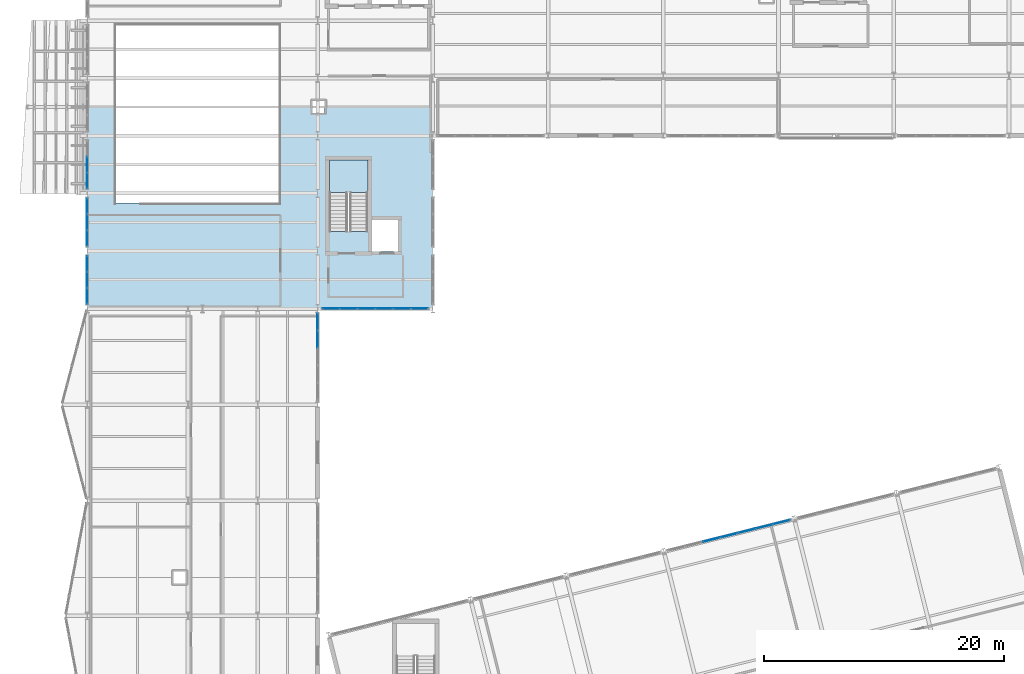
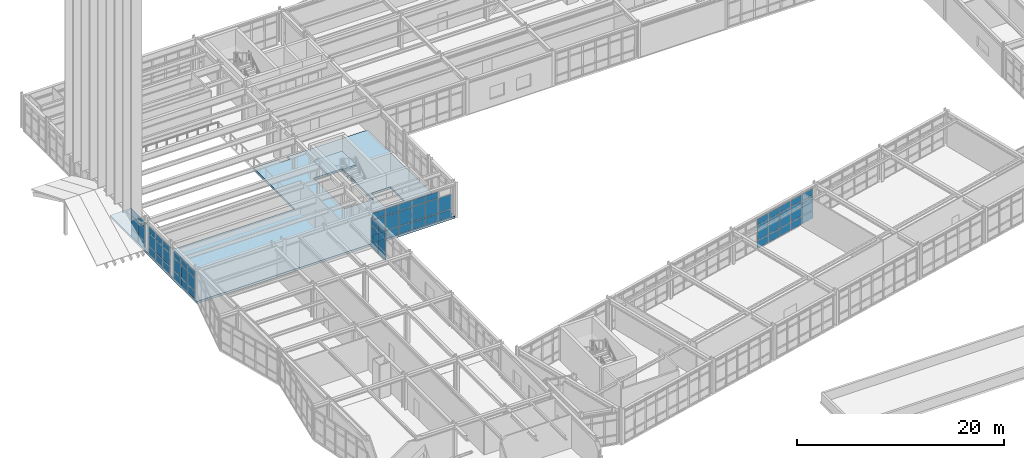
# One storey, part 65 of 99: 62 plates, 2 slabs, 7 elements without a shape of their own.
"""IFC4 building model written with IfcOpenShell, lengths in metres."""

from ifc_helpers import new_model, si_unit, direction, frame, origin, origin_2d, place, context, subcontext, project, spatial, polyline, rectangle, outline, extrude, material, layer, layer_set, type_object, element, aggregate, save


model = new_model("IFC4")

# Units and contexts
model_context = context("Model", 3, precision=1e-05, world=origin(), true_north=direction((0.0, 1.0)))
body_context = subcontext(model_context, "Body", "Model", "MODEL_VIEW")
ifc_project = project(units=[si_unit("LENGTHUNIT", "METRE"), si_unit("AREAUNIT", "SQUARE_METRE"), si_unit("VOLUMEUNIT", "CUBIC_METRE"), si_unit("PLANEANGLEUNIT", "RADIAN"), si_unit("MASSUNIT", "GRAM", prefix="KILO")], contexts=[model_context])

# Site, building, storey
site_placement = place(None, origin())
site = spatial("IfcSite", under=ifc_project, at=site_placement, CompositionType="ELEMENT")
building_placement = place(site_placement, origin())
building = spatial("IfcBuilding", under=site, at=building_placement, Name="Nordkorset Police Headquarters", CompositionType="ELEMENT")
storey_placement = place(building_placement, frame((0.0, 0.0, 5.25)))
storey = spatial("IfcBuildingStorey", under=building, at=storey_placement, Name="L01", CompositionType="ELEMENT", Elevation=5.25)

# Curtain wall, plates
ifc_material_1 = material(Name="Aluminium alloy AW-6060", Category="aluminium")
ifc_layer_1 = layer(ifc_material_1, 0.179931640625, Name="Aluminium alloy AW-6060")
ifc_layer_set_1 = layer_set([ifc_layer_1], Name="Aluminium alloy AW-6060")
curtain_wall_type_1 = type_object("IfcCurtainWallType", Name="CW_Unit_408x340", PredefinedType="USERDEFINED", material=ifc_layer_set_1)
curtain_wall_1_placement = place(storey_placement, origin())
curtain_wall_1 = element("IfcCurtainWall", 1, at=curtain_wall_1_placement, inside=storey, type_object=curtain_wall_type_1, Name="Unitised Curtain Wall L01 V1W-0", ObjectType="UNITISED CURTAIN WALL", PredefinedType="USERDEFINED")
ifc_material_2 = material(Name="Low-iron triple glazing", Category="glass")
ifc_layer_2 = layer(ifc_material_2, 0.035888671875, Name="Low-iron triple glazing")
ifc_layer_set_2 = layer_set([ifc_layer_2], Name="Low-iron triple glazing")
plate_type = type_object("IfcPlateType", Name="CW_Panel_TripleGlazing_36", PredefinedType="CURTAIN_PANEL", material=ifc_layer_set_2)
plate_1_placement = place(storey_placement, frame((0.0, 84.25634765625, 0.06494140625), z_axis=(0.0, 0.0, 1.0), x_axis=(0.0, 1.0, 0.0)))
plate_1 = element("IfcPlate", 2, at=plate_1_placement, type_object=plate_type, Name="CW-75 panel 1.1", PredefinedType="CURTAIN_PANEL", context=body_context, shape_type="SweptSolid", body=[
    extrude(rectangle(XDim=1.262451171875, YDim=0.035888671875, at=origin_2d()), origin(), (0.0, 0.0, 1.0), 0.902587890625),
])
plate_2_placement = place(storey_placement, frame((0.0, 84.25634765625, 1.0322265625), z_axis=(0.0, 0.0, 1.0), x_axis=(0.0, 1.0, 0.0)))
plate_2 = element("IfcPlate", 3, at=plate_2_placement, type_object=plate_type, Name="CW-75 panel 1.2", PredefinedType="CURTAIN_PANEL", context=body_context, shape_type="SweptSolid", body=[
    extrude(rectangle(XDim=1.262451171875, YDim=0.035888671875, at=origin_2d()), origin(), (0.0, 0.0, 1.0), 1.485107421875),
])
plate_3_placement = place(storey_placement, frame((0.0, 84.25634765625, 2.58251953125), z_axis=(0.0, 0.0, 1.0), x_axis=(0.0, 1.0, 0.0)))
plate_3 = element("IfcPlate", 4, at=plate_3_placement, type_object=plate_type, Name="CW-75 panel 1.3", PredefinedType="CURTAIN_PANEL", context=body_context, shape_type="SweptSolid", body=[
    extrude(rectangle(XDim=1.262451171875, YDim=0.035888671875, at=origin_2d()), origin(), (0.0, 0.0, 1.0), 0.75244140625),
])
plate_4_placement = place(storey_placement, frame((0.0, 85.60009765625, 0.06494140625), z_axis=(0.0, 0.0, 1.0), x_axis=(0.0, 1.0, 0.0)))
plate_4 = element("IfcPlate", 5, at=plate_4_placement, type_object=plate_type, Name="CW-75 panel 2.1", PredefinedType="CURTAIN_PANEL", context=body_context, shape_type="SweptSolid", body=[
    extrude(rectangle(XDim=1.294921875, YDim=0.035888671875, at=origin_2d()), origin(), (0.0, 0.0, 1.0), 0.902587890625),
])
plate_5_placement = place(storey_placement, frame((0.0, 85.60009765625, 1.0322265625), z_axis=(0.0, 0.0, 1.0), x_axis=(0.0, 1.0, 0.0)))
plate_5 = element("IfcPlate", 6, at=plate_5_placement, type_object=plate_type, Name="CW-75 panel 2.2", PredefinedType="CURTAIN_PANEL", context=body_context, shape_type="SweptSolid", body=[
    extrude(rectangle(XDim=1.294921875, YDim=0.035888671875, at=origin_2d()), origin(), (0.0, 0.0, 1.0), 1.485107421875),
])
plate_6_placement = place(storey_placement, frame((0.0, 85.60009765625, 2.58251953125), z_axis=(0.0, 0.0, 1.0), x_axis=(0.0, 1.0, 0.0)))
plate_6 = element("IfcPlate", 7, at=plate_6_placement, type_object=plate_type, Name="CW-75 panel 2.3", PredefinedType="CURTAIN_PANEL", context=body_context, shape_type="SweptSolid", body=[
    extrude(rectangle(XDim=1.294921875, YDim=0.035888671875, at=origin_2d()), origin(), (0.0, 0.0, 1.0), 0.75244140625),
])
plate_7_placement = place(storey_placement, frame((0.0, 86.94384765625, 0.06494140625), z_axis=(0.0, 0.0, 1.0), x_axis=(0.0, 1.0, 0.0)))
plate_7 = element("IfcPlate", 8, at=plate_7_placement, type_object=plate_type, Name="CW-75 panel 3.1", PredefinedType="CURTAIN_PANEL", context=body_context, shape_type="SweptSolid", body=[
    extrude(rectangle(XDim=1.262451171875, YDim=0.035888671875, at=origin_2d()), origin(), (0.0, 0.0, 1.0), 0.902587890625),
])
plate_8_placement = place(storey_placement, frame((0.0, 86.94384765625, 1.0322265625), z_axis=(0.0, 0.0, 1.0), x_axis=(0.0, 1.0, 0.0)))
plate_8 = element("IfcPlate", 9, at=plate_8_placement, type_object=plate_type, Name="CW-75 panel 3.2", PredefinedType="CURTAIN_PANEL", context=body_context, shape_type="SweptSolid", body=[
    extrude(rectangle(XDim=1.262451171875, YDim=0.035888671875, at=origin_2d()), origin(), (0.0, 0.0, 1.0), 1.485107421875),
])
plate_9_placement = place(storey_placement, frame((0.0, 86.94384765625, 2.58251953125), z_axis=(0.0, 0.0, 1.0), x_axis=(0.0, 1.0, 0.0)))
plate_9 = element("IfcPlate", 10, at=plate_9_placement, type_object=plate_type, Name="CW-75 panel 3.3", PredefinedType="CURTAIN_PANEL", context=body_context, shape_type="SweptSolid", body=[
    extrude(rectangle(XDim=1.262451171875, YDim=0.035888671875, at=origin_2d()), origin(), (0.0, 0.0, 1.0), 0.75244140625),
])
aggregate(curtain_wall_1, [plate_1, plate_2, plate_3, plate_4, plate_5, plate_6, plate_7, plate_8, plate_9])

curtain_wall_2_placement = place(storey_placement, origin())
curtain_wall_2 = element("IfcCurtainWall", 11, at=curtain_wall_2_placement, inside=storey, type_object=curtain_wall_type_1, Name="Unitised Curtain Wall L01 V1W-1", ObjectType="UNITISED CURTAIN WALL", PredefinedType="USERDEFINED")
plate_10_placement = place(storey_placement, frame((0.0, 89.05615234375, 0.06494140625), z_axis=(0.0, 0.0, 1.0), x_axis=(0.0, 1.0, 0.0)))
plate_10 = element("IfcPlate", 12, at=plate_10_placement, type_object=plate_type, Name="CW-75 panel 1.1", PredefinedType="CURTAIN_PANEL", context=body_context, shape_type="SweptSolid", body=[
    extrude(rectangle(XDim=1.262451171875, YDim=0.035888671875, at=origin_2d()), origin(), (0.0, 0.0, 1.0), 0.902587890625),
])
plate_11_placement = place(storey_placement, frame((0.0, 89.05615234375, 1.0322265625), z_axis=(0.0, 0.0, 1.0), x_axis=(0.0, 1.0, 0.0)))
plate_11 = element("IfcPlate", 13, at=plate_11_placement, type_object=plate_type, Name="CW-75 panel 1.2", PredefinedType="CURTAIN_PANEL", context=body_context, shape_type="SweptSolid", body=[
    extrude(rectangle(XDim=1.262451171875, YDim=0.035888671875, at=origin_2d()), origin(), (0.0, 0.0, 1.0), 1.485107421875),
])
plate_12_placement = place(storey_placement, frame((0.0, 89.05615234375, 2.58251953125), z_axis=(0.0, 0.0, 1.0), x_axis=(0.0, 1.0, 0.0)))
plate_12 = element("IfcPlate", 14, at=plate_12_placement, type_object=plate_type, Name="CW-75 panel 1.3", PredefinedType="CURTAIN_PANEL", context=body_context, shape_type="SweptSolid", body=[
    extrude(rectangle(XDim=1.262451171875, YDim=0.035888671875, at=origin_2d()), origin(), (0.0, 0.0, 1.0), 0.75244140625),
])
plate_13_placement = place(storey_placement, frame((0.0, 90.39990234375, 0.06494140625), z_axis=(0.0, 0.0, 1.0), x_axis=(0.0, 1.0, 0.0)))
plate_13 = element("IfcPlate", 15, at=plate_13_placement, type_object=plate_type, Name="CW-75 panel 2.1", PredefinedType="CURTAIN_PANEL", context=body_context, shape_type="SweptSolid", body=[
    extrude(rectangle(XDim=1.294921875, YDim=0.035888671875, at=origin_2d()), origin(), (0.0, 0.0, 1.0), 0.902587890625),
])
plate_14_placement = place(storey_placement, frame((0.0, 90.39990234375, 1.0322265625), z_axis=(0.0, 0.0, 1.0), x_axis=(0.0, 1.0, 0.0)))
plate_14 = element("IfcPlate", 16, at=plate_14_placement, type_object=plate_type, Name="CW-75 panel 2.2", PredefinedType="CURTAIN_PANEL", context=body_context, shape_type="SweptSolid", body=[
    extrude(rectangle(XDim=1.294921875, YDim=0.035888671875, at=origin_2d()), origin(), (0.0, 0.0, 1.0), 1.485107421875),
])
plate_15_placement = place(storey_placement, frame((0.0, 90.39990234375, 2.58251953125), z_axis=(0.0, 0.0, 1.0), x_axis=(0.0, 1.0, 0.0)))
plate_15 = element("IfcPlate", 17, at=plate_15_placement, type_object=plate_type, Name="CW-75 panel 2.3", PredefinedType="CURTAIN_PANEL", context=body_context, shape_type="SweptSolid", body=[
    extrude(rectangle(XDim=1.294921875, YDim=0.035888671875, at=origin_2d()), origin(), (0.0, 0.0, 1.0), 0.75244140625),
])
plate_16_placement = place(storey_placement, frame((0.0, 91.74365234375, 0.06494140625), z_axis=(0.0, 0.0, 1.0), x_axis=(0.0, 1.0, 0.0)))
plate_16 = element("IfcPlate", 18, at=plate_16_placement, type_object=plate_type, Name="CW-75 panel 3.1", PredefinedType="CURTAIN_PANEL", context=body_context, shape_type="SweptSolid", body=[
    extrude(rectangle(XDim=1.262451171875, YDim=0.035888671875, at=origin_2d()), origin(), (0.0, 0.0, 1.0), 0.902587890625),
])
plate_17_placement = place(storey_placement, frame((0.0, 91.74365234375, 1.0322265625), z_axis=(0.0, 0.0, 1.0), x_axis=(0.0, 1.0, 0.0)))
plate_17 = element("IfcPlate", 19, at=plate_17_placement, type_object=plate_type, Name="CW-75 panel 3.2", PredefinedType="CURTAIN_PANEL", context=body_context, shape_type="SweptSolid", body=[
    extrude(rectangle(XDim=1.262451171875, YDim=0.035888671875, at=origin_2d()), origin(), (0.0, 0.0, 1.0), 1.485107421875),
])
plate_18_placement = place(storey_placement, frame((0.0, 91.74365234375, 2.58251953125), z_axis=(0.0, 0.0, 1.0), x_axis=(0.0, 1.0, 0.0)))
plate_18 = element("IfcPlate", 20, at=plate_18_placement, type_object=plate_type, Name="CW-75 panel 3.3", PredefinedType="CURTAIN_PANEL", context=body_context, shape_type="SweptSolid", body=[
    extrude(rectangle(XDim=1.262451171875, YDim=0.035888671875, at=origin_2d()), origin(), (0.0, 0.0, 1.0), 0.75244140625),
])
aggregate(curtain_wall_2, [plate_10, plate_11, plate_12, plate_13, plate_14, plate_15, plate_16, plate_17, plate_18])

curtain_wall_3_placement = place(storey_placement, origin())
curtain_wall_3 = element("IfcCurtainWall", 21, at=curtain_wall_3_placement, inside=storey, type_object=curtain_wall_type_1, Name="Unitised Curtain Wall L01 V1W-2", ObjectType="UNITISED CURTAIN WALL", PredefinedType="USERDEFINED")
plate_19_placement = place(storey_placement, frame((0.0, 93.856201171875, 0.06494140625), z_axis=(0.0, 0.0, 1.0), x_axis=(0.0, 1.0, 0.0)))
plate_19 = element("IfcPlate", 22, at=plate_19_placement, type_object=plate_type, Name="CW-75 panel 1.1", PredefinedType="CURTAIN_PANEL", context=body_context, shape_type="SweptSolid", body=[
    extrude(rectangle(XDim=1.262451171875, YDim=0.035888671875, at=origin_2d()), origin(), (0.0, 0.0, 1.0), 0.902587890625),
])
plate_20_placement = place(storey_placement, frame((0.0, 93.856201171875, 1.0322265625), z_axis=(0.0, 0.0, 1.0), x_axis=(0.0, 1.0, 0.0)))
plate_20 = element("IfcPlate", 23, at=plate_20_placement, type_object=plate_type, Name="CW-75 panel 1.2", PredefinedType="CURTAIN_PANEL", context=body_context, shape_type="SweptSolid", body=[
    extrude(rectangle(XDim=1.262451171875, YDim=0.035888671875, at=origin_2d()), origin(), (0.0, 0.0, 1.0), 1.485107421875),
])
plate_21_placement = place(storey_placement, frame((0.0, 93.856201171875, 2.58251953125), z_axis=(0.0, 0.0, 1.0), x_axis=(0.0, 1.0, 0.0)))
plate_21 = element("IfcPlate", 24, at=plate_21_placement, type_object=plate_type, Name="CW-75 panel 1.3", PredefinedType="CURTAIN_PANEL", context=body_context, shape_type="SweptSolid", body=[
    extrude(rectangle(XDim=1.262451171875, YDim=0.035888671875, at=origin_2d()), origin(), (0.0, 0.0, 1.0), 0.75244140625),
])
plate_22_placement = place(storey_placement, frame((0.0, 95.199951171875, 0.06494140625), z_axis=(0.0, 0.0, 1.0), x_axis=(0.0, 1.0, 0.0)))
plate_22 = element("IfcPlate", 25, at=plate_22_placement, type_object=plate_type, Name="CW-75 panel 2.1", PredefinedType="CURTAIN_PANEL", context=body_context, shape_type="SweptSolid", body=[
    extrude(rectangle(XDim=1.294921875, YDim=0.035888671875, at=origin_2d()), origin(), (0.0, 0.0, 1.0), 0.902587890625),
])
plate_23_placement = place(storey_placement, frame((0.0, 95.199951171875, 1.0322265625), z_axis=(0.0, 0.0, 1.0), x_axis=(0.0, 1.0, 0.0)))
plate_23 = element("IfcPlate", 26, at=plate_23_placement, type_object=plate_type, Name="CW-75 panel 2.2", PredefinedType="CURTAIN_PANEL", context=body_context, shape_type="SweptSolid", body=[
    extrude(rectangle(XDim=1.294921875, YDim=0.035888671875, at=origin_2d()), origin(), (0.0, 0.0, 1.0), 1.485107421875),
])
plate_24_placement = place(storey_placement, frame((0.0, 95.199951171875, 2.58251953125), z_axis=(0.0, 0.0, 1.0), x_axis=(0.0, 1.0, 0.0)))
plate_24 = element("IfcPlate", 27, at=plate_24_placement, type_object=plate_type, Name="CW-75 panel 2.3", PredefinedType="CURTAIN_PANEL", context=body_context, shape_type="SweptSolid", body=[
    extrude(rectangle(XDim=1.294921875, YDim=0.035888671875, at=origin_2d()), origin(), (0.0, 0.0, 1.0), 0.75244140625),
])
aggregate(curtain_wall_3, [plate_19, plate_20, plate_21, plate_22, plate_23, plate_24])

ifc_material_3 = material(Name="Aluminium alloy AW-6060", Category="aluminium")
ifc_layer_3 = layer(ifc_material_3, 0.179931640625, Name="Aluminium alloy AW-6060")
ifc_layer_set_3 = layer_set([ifc_layer_3], Name="Aluminium alloy AW-6060")
curtain_wall_type_2 = type_object("IfcCurtainWallType", Name="CW_Unit_888x363", PredefinedType="USERDEFINED", material=ifc_layer_set_3)
curtain_wall_4_placement = place(storey_placement, origin())
curtain_wall_4 = element("IfcCurtainWall", 28, at=curtain_wall_4_placement, inside=storey, type_object=curtain_wall_type_2, Name="Unitised Curtain Wall L01 V1S-2", ObjectType="UNITISED CURTAIN WALL", PredefinedType="USERDEFINED")
plate_25_placement = place(storey_placement, frame((20.316162109375, 83.199951171875, 0.06494140625), z_axis=(0.0, 0.0, 1.0), x_axis=(1.0, 0.0, 0.0)))
plate_25 = element("IfcPlate", 29, at=plate_25_placement, type_object=plate_type, Name="CW-07 panel 1.1", PredefinedType="CURTAIN_PANEL", context=body_context, shape_type="SweptSolid", body=[
    extrude(rectangle(XDim=1.382568359375, YDim=0.035888671875, at=origin_2d()), origin(), (0.0, 0.0, 1.0), 0.902587890625),
])
plate_26_placement = place(storey_placement, frame((20.316162109375, 83.199951171875, 1.0322265625), z_axis=(0.0, 0.0, 1.0), x_axis=(1.0, 0.0, 0.0)))
plate_26 = element("IfcPlate", 30, at=plate_26_placement, type_object=plate_type, Name="CW-07 panel 1.2", PredefinedType="CURTAIN_PANEL", context=body_context, shape_type="SweptSolid", body=[
    extrude(rectangle(XDim=1.382568359375, YDim=0.035888671875, at=origin_2d()), origin(), (0.0, 0.0, 1.0), 1.715087890625),
])
plate_27_placement = place(storey_placement, frame((20.316162109375, 83.199951171875, 2.8125), z_axis=(0.0, 0.0, 1.0), x_axis=(1.0, 0.0, 0.0)))
plate_27 = element("IfcPlate", 31, at=plate_27_placement, type_object=plate_type, Name="CW-07 panel 1.3", PredefinedType="CURTAIN_PANEL", context=body_context, shape_type="SweptSolid", body=[
    extrude(rectangle(XDim=1.382568359375, YDim=0.035888671875, at=origin_2d()), origin(), (0.0, 0.0, 1.0), 0.75244140625),
])
plate_28_placement = place(storey_placement, frame((21.780029296875, 83.199951171875, 0.06494140625), z_axis=(0.0, 0.0, 1.0), x_axis=(1.0, 0.0, 0.0)))
plate_28 = element("IfcPlate", 32, at=plate_28_placement, type_object=plate_type, Name="CW-07 panel 2.1", PredefinedType="CURTAIN_PANEL", context=body_context, shape_type="SweptSolid", body=[
    extrude(rectangle(XDim=1.4150390625, YDim=0.035888671875, at=origin_2d()), origin(), (0.0, 0.0, 1.0), 0.902587890625),
])
plate_29_placement = place(storey_placement, frame((21.780029296875, 83.199951171875, 1.0322265625), z_axis=(0.0, 0.0, 1.0), x_axis=(1.0, 0.0, 0.0)))
plate_29 = element("IfcPlate", 33, at=plate_29_placement, type_object=plate_type, Name="CW-07 panel 2.2", PredefinedType="CURTAIN_PANEL", context=body_context, shape_type="SweptSolid", body=[
    extrude(rectangle(XDim=1.4150390625, YDim=0.035888671875, at=origin_2d()), origin(), (0.0, 0.0, 1.0), 1.715087890625),
])
plate_30_placement = place(storey_placement, frame((21.780029296875, 83.199951171875, 2.8125), z_axis=(0.0, 0.0, 1.0), x_axis=(1.0, 0.0, 0.0)))
plate_30 = element("IfcPlate", 34, at=plate_30_placement, type_object=plate_type, Name="CW-07 panel 2.3", PredefinedType="CURTAIN_PANEL", context=body_context, shape_type="SweptSolid", body=[
    extrude(rectangle(XDim=1.4150390625, YDim=0.035888671875, at=origin_2d()), origin(), (0.0, 0.0, 1.0), 0.75244140625),
])
plate_31_placement = place(storey_placement, frame((23.260009765625, 83.199951171875, 0.06494140625), z_axis=(0.0, 0.0, 1.0), x_axis=(1.0, 0.0, 0.0)))
plate_31 = element("IfcPlate", 35, at=plate_31_placement, type_object=plate_type, Name="CW-07 panel 3.1", PredefinedType="CURTAIN_PANEL", context=body_context, shape_type="SweptSolid", body=[
    extrude(rectangle(XDim=1.4150390625, YDim=0.035888671875, at=origin_2d()), origin(), (0.0, 0.0, 1.0), 0.902587890625),
])
plate_32_placement = place(storey_placement, frame((23.260009765625, 83.199951171875, 1.0322265625), z_axis=(0.0, 0.0, 1.0), x_axis=(1.0, 0.0, 0.0)))
plate_32 = element("IfcPlate", 36, at=plate_32_placement, type_object=plate_type, Name="CW-07 panel 3.2", PredefinedType="CURTAIN_PANEL", context=body_context, shape_type="SweptSolid", body=[
    extrude(rectangle(XDim=1.4150390625, YDim=0.035888671875, at=origin_2d()), origin(), (0.0, 0.0, 1.0), 1.715087890625),
])
plate_33_placement = place(storey_placement, frame((23.260009765625, 83.199951171875, 2.8125), z_axis=(0.0, 0.0, 1.0), x_axis=(1.0, 0.0, 0.0)))
plate_33 = element("IfcPlate", 37, at=plate_33_placement, type_object=plate_type, Name="CW-07 panel 3.3", PredefinedType="CURTAIN_PANEL", context=body_context, shape_type="SweptSolid", body=[
    extrude(rectangle(XDim=1.4150390625, YDim=0.035888671875, at=origin_2d()), origin(), (0.0, 0.0, 1.0), 0.75244140625),
])
plate_34_placement = place(storey_placement, frame((24.739990234375, 83.199951171875, 0.06494140625), z_axis=(0.0, 0.0, 1.0), x_axis=(1.0, 0.0, 0.0)))
plate_34 = element("IfcPlate", 38, at=plate_34_placement, type_object=plate_type, Name="CW-07 panel 4.1", PredefinedType="CURTAIN_PANEL", context=body_context, shape_type="SweptSolid", body=[
    extrude(rectangle(XDim=1.4150390625, YDim=0.035888671875, at=origin_2d()), origin(), (0.0, 0.0, 1.0), 0.902587890625),
])
plate_35_placement = place(storey_placement, frame((24.739990234375, 83.199951171875, 1.0322265625), z_axis=(0.0, 0.0, 1.0), x_axis=(1.0, 0.0, 0.0)))
plate_35 = element("IfcPlate", 39, at=plate_35_placement, type_object=plate_type, Name="CW-07 panel 4.2", PredefinedType="CURTAIN_PANEL", context=body_context, shape_type="SweptSolid", body=[
    extrude(rectangle(XDim=1.4150390625, YDim=0.035888671875, at=origin_2d()), origin(), (0.0, 0.0, 1.0), 1.715087890625),
])
plate_36_placement = place(storey_placement, frame((24.739990234375, 83.199951171875, 2.8125), z_axis=(0.0, 0.0, 1.0), x_axis=(1.0, 0.0, 0.0)))
plate_36 = element("IfcPlate", 40, at=plate_36_placement, type_object=plate_type, Name="CW-07 panel 4.3", PredefinedType="CURTAIN_PANEL", context=body_context, shape_type="SweptSolid", body=[
    extrude(rectangle(XDim=1.4150390625, YDim=0.035888671875, at=origin_2d()), origin(), (0.0, 0.0, 1.0), 0.75244140625),
])
plate_37_placement = place(storey_placement, frame((26.219970703125, 83.199951171875, 0.06494140625), z_axis=(0.0, 0.0, 1.0), x_axis=(1.0, 0.0, 0.0)))
plate_37 = element("IfcPlate", 41, at=plate_37_placement, type_object=plate_type, Name="CW-07 panel 5.1", PredefinedType="CURTAIN_PANEL", context=body_context, shape_type="SweptSolid", body=[
    extrude(rectangle(XDim=1.4150390625, YDim=0.035888671875, at=origin_2d()), origin(), (0.0, 0.0, 1.0), 0.902587890625),
])
plate_38_placement = place(storey_placement, frame((26.219970703125, 83.199951171875, 1.0322265625), z_axis=(0.0, 0.0, 1.0), x_axis=(1.0, 0.0, 0.0)))
plate_38 = element("IfcPlate", 42, at=plate_38_placement, type_object=plate_type, Name="CW-07 panel 5.2", PredefinedType="CURTAIN_PANEL", context=body_context, shape_type="SweptSolid", body=[
    extrude(rectangle(XDim=1.4150390625, YDim=0.035888671875, at=origin_2d()), origin(), (0.0, 0.0, 1.0), 1.715087890625),
])
plate_39_placement = place(storey_placement, frame((26.219970703125, 83.199951171875, 2.8125), z_axis=(0.0, 0.0, 1.0), x_axis=(1.0, 0.0, 0.0)))
plate_39 = element("IfcPlate", 43, at=plate_39_placement, type_object=plate_type, Name="CW-07 panel 5.3", PredefinedType="CURTAIN_PANEL", context=body_context, shape_type="SweptSolid", body=[
    extrude(rectangle(XDim=1.4150390625, YDim=0.035888671875, at=origin_2d()), origin(), (0.0, 0.0, 1.0), 0.75244140625),
])
plate_40_placement = place(storey_placement, frame((27.683837890625, 83.199951171875, 0.06494140625), z_axis=(0.0, 0.0, 1.0), x_axis=(1.0, 0.0, 0.0)))
plate_40 = element("IfcPlate", 44, at=plate_40_placement, type_object=plate_type, Name="CW-07 panel 6.1", PredefinedType="CURTAIN_PANEL", context=body_context, shape_type="SweptSolid", body=[
    extrude(rectangle(XDim=1.382568359375, YDim=0.035888671875, at=origin_2d()), origin(), (0.0, 0.0, 1.0), 0.902587890625),
])
plate_41_placement = place(storey_placement, frame((27.683837890625, 83.199951171875, 1.0322265625), z_axis=(0.0, 0.0, 1.0), x_axis=(1.0, 0.0, 0.0)))
plate_41 = element("IfcPlate", 45, at=plate_41_placement, type_object=plate_type, Name="CW-07 panel 6.2", PredefinedType="CURTAIN_PANEL", context=body_context, shape_type="SweptSolid", body=[
    extrude(rectangle(XDim=1.382568359375, YDim=0.035888671875, at=origin_2d()), origin(), (0.0, 0.0, 1.0), 1.715087890625),
])
aggregate(curtain_wall_4, [plate_25, plate_26, plate_27, plate_28, plate_29, plate_30, plate_31, plate_32, plate_33, plate_34, plate_35, plate_36, plate_37, plate_38, plate_39, plate_40, plate_41])

ifc_material_4 = material(Name="Aluminium alloy AW-6060", Category="aluminium")
ifc_layer_4 = layer(ifc_material_4, 0.179931640625, Name="Aluminium alloy AW-6060")
ifc_layer_set_4 = layer_set([ifc_layer_4], Name="Aluminium alloy AW-6060")
curtain_wall_type_3 = type_object("IfcCurtainWallType", Name="CW_Unit_728x350", PredefinedType="USERDEFINED", material=ifc_layer_set_4)
curtain_wall_5_placement = place(storey_placement, origin())
curtain_wall_5 = element("IfcCurtainWall", 46, at=curtain_wall_5_placement, inside=storey, type_object=curtain_wall_type_3, Name="Unitised Curtain Wall L01 V3E-5", ObjectType="UNITISED CURTAIN WALL", PredefinedType="USERDEFINED")
plate_42_placement = place(storey_placement, frame((19.199951171875, 80.656005859375, 0.06494140625), z_axis=(0.0, 0.0, 1.0), x_axis=(0.0, 1.0, 0.0)))
plate_42 = element("IfcPlate", 47, at=plate_42_placement, type_object=plate_type, Name="CW-70 panel 4.1", PredefinedType="CURTAIN_PANEL", context=body_context, shape_type="SweptSolid", body=[
    extrude(rectangle(XDim=1.39111328125, YDim=0.035888671875, at=origin_2d()), origin(), (0.0, 0.0, 1.0), 0.902587890625),
])
plate_43_placement = place(storey_placement, frame((19.199951171875, 80.656005859375, 1.032470703125), z_axis=(0.0, 0.0, 1.0), x_axis=(0.0, 1.0, 0.0)))
plate_43 = element("IfcPlate", 48, at=plate_43_placement, type_object=plate_type, Name="CW-70 panel 4.2", PredefinedType="CURTAIN_PANEL", context=body_context, shape_type="SweptSolid", body=[
    extrude(rectangle(XDim=1.39111328125, YDim=0.035888671875, at=origin_2d()), origin(), (0.0, 0.0, 1.0), 1.5849609375),
])
plate_44_placement = place(storey_placement, frame((19.199951171875, 80.656005859375, 2.6826171875), z_axis=(0.0, 0.0, 1.0), x_axis=(0.0, 1.0, 0.0)))
plate_44 = element("IfcPlate", 49, at=plate_44_placement, type_object=plate_type, Name="CW-70 panel 4.3", PredefinedType="CURTAIN_PANEL", context=body_context, shape_type="SweptSolid", body=[
    extrude(rectangle(XDim=1.39111328125, YDim=0.035888671875, at=origin_2d()), origin(), (0.0, 0.0, 1.0), 0.75244140625),
])
plate_45_placement = place(storey_placement, frame((19.199951171875, 82.095703125, 0.06494140625), z_axis=(0.0, 0.0, 1.0), x_axis=(0.0, 1.0, 0.0)))
plate_45 = element("IfcPlate", 50, at=plate_45_placement, type_object=plate_type, Name="CW-70 panel 5.1", PredefinedType="CURTAIN_PANEL", context=body_context, shape_type="SweptSolid", body=[
    extrude(rectangle(XDim=1.3583984375, YDim=0.035888671875, at=origin_2d()), origin(), (0.0, 0.0, 1.0), 0.902587890625),
])
plate_46_placement = place(storey_placement, frame((19.199951171875, 82.095703125, 1.032470703125), z_axis=(0.0, 0.0, 1.0), x_axis=(0.0, 1.0, 0.0)))
plate_46 = element("IfcPlate", 51, at=plate_46_placement, type_object=plate_type, Name="CW-70 panel 5.2", PredefinedType="CURTAIN_PANEL", context=body_context, shape_type="SweptSolid", body=[
    extrude(rectangle(XDim=1.3583984375, YDim=0.035888671875, at=origin_2d()), origin(), (0.0, 0.0, 1.0), 1.5849609375),
])
plate_47_placement = place(storey_placement, frame((19.199951171875, 82.095703125, 2.6826171875), z_axis=(0.0, 0.0, 1.0), x_axis=(0.0, 1.0, 0.0)))
plate_47 = element("IfcPlate", 52, at=plate_47_placement, type_object=plate_type, Name="CW-70 panel 5.3", PredefinedType="CURTAIN_PANEL", context=body_context, shape_type="SweptSolid", body=[
    extrude(rectangle(XDim=1.3583984375, YDim=0.035888671875, at=origin_2d()), origin(), (0.0, 0.0, 1.0), 0.75244140625),
])
aggregate(curtain_wall_5, [plate_42, plate_43, plate_44, plate_45, plate_46, plate_47])

ifc_material_5 = material(Name="Aluminium alloy AW-6060", Category="aluminium")
ifc_layer_5 = layer(ifc_material_5, 0.179931640625, Name="Aluminium alloy AW-6060")
ifc_layer_set_5 = layer_set([ifc_layer_5], Name="Aluminium alloy AW-6060")
curtain_wall_type_4 = type_object("IfcCurtainWallType", Name="CW_Unit_1056x363", PredefinedType="USERDEFINED", material=ifc_layer_set_5)
curtain_wall_6_placement = place(storey_placement, origin())
curtain_wall_6 = element("IfcCurtainWall", 53, at=curtain_wall_6_placement, inside=storey, type_object=curtain_wall_type_4, Name="Unitised Curtain Wall L01 V4N-3", ObjectType="UNITISED CURTAIN WALL", PredefinedType="USERDEFINED")
plate_48_placement = place(storey_placement, frame((52.016845703125, 63.947509765625, 0.06494140625), z_axis=(0.0, 0.0, 1.0), x_axis=(0.970142388735, 0.242536070676, 0.0)))
plate_48 = element("IfcPlate", 54, at=plate_48_placement, type_object=plate_type, Name="CW-96 panel 3.1", PredefinedType="CURTAIN_PANEL", context=body_context, shape_type="SweptSolid", body=[
    extrude(rectangle(XDim=1.443603515625, YDim=0.035888671875, at=origin_2d()), origin(), (0.0, 0.0, 1.0), 0.902587890625),
])
plate_49_placement = place(storey_placement, frame((52.016845703125, 63.947509765625, 1.0322265625), z_axis=(0.0, 0.0, 1.0), x_axis=(0.970142388735, 0.242536070676, 0.0)))
plate_49 = element("IfcPlate", 55, at=plate_49_placement, type_object=plate_type, Name="CW-96 panel 3.2", PredefinedType="CURTAIN_PANEL", context=body_context, shape_type="SweptSolid", body=[
    extrude(rectangle(XDim=1.443603515625, YDim=0.035888671875, at=origin_2d()), origin(), (0.0, 0.0, 1.0), 1.715087890625),
])
plate_50_placement = place(storey_placement, frame((52.016845703125, 63.947509765625, 2.8125), z_axis=(0.0, 0.0, 1.0), x_axis=(0.970142388735, 0.242536070676, 0.0)))
plate_50 = element("IfcPlate", 56, at=plate_50_placement, type_object=plate_type, Name="CW-96 panel 3.3", PredefinedType="CURTAIN_PANEL", context=body_context, shape_type="SweptSolid", body=[
    extrude(rectangle(XDim=1.443603515625, YDim=0.035888671875, at=origin_2d()), origin(), (0.0, 0.0, 1.0), 0.75244140625),
])
plate_51_placement = place(storey_placement, frame((53.48046875, 64.313232421875, 0.06494140625), z_axis=(0.0, 0.0, 1.0), x_axis=(0.970142388735, 0.242536070676, 0.0)))
plate_51 = element("IfcPlate", 57, at=plate_51_placement, type_object=plate_type, Name="CW-96 panel 4.1", PredefinedType="CURTAIN_PANEL", context=body_context, shape_type="SweptSolid", body=[
    extrude(rectangle(XDim=1.443603515625, YDim=0.035888671875, at=origin_2d()), origin(), (0.0, 0.0, 1.0), 0.902587890625),
])
plate_52_placement = place(storey_placement, frame((53.48046875, 64.313232421875, 1.0322265625), z_axis=(0.0, 0.0, 1.0), x_axis=(0.970142388735, 0.242536070676, 0.0)))
plate_52 = element("IfcPlate", 58, at=plate_52_placement, type_object=plate_type, Name="CW-96 panel 4.2", PredefinedType="CURTAIN_PANEL", context=body_context, shape_type="SweptSolid", body=[
    extrude(rectangle(XDim=1.443603515625, YDim=0.035888671875, at=origin_2d()), origin(), (0.0, 0.0, 1.0), 1.715087890625),
])
plate_53_placement = place(storey_placement, frame((53.48046875, 64.313232421875, 2.8125), z_axis=(0.0, 0.0, 1.0), x_axis=(0.970142388735, 0.242536070676, 0.0)))
plate_53 = element("IfcPlate", 59, at=plate_53_placement, type_object=plate_type, Name="CW-96 panel 4.3", PredefinedType="CURTAIN_PANEL", context=body_context, shape_type="SweptSolid", body=[
    extrude(rectangle(XDim=1.443603515625, YDim=0.035888671875, at=origin_2d()), origin(), (0.0, 0.0, 1.0), 0.75244140625),
])
plate_54_placement = place(storey_placement, frame((54.94384765625, 64.67919921875, 0.06494140625), z_axis=(0.0, 0.0, 1.0), x_axis=(0.970142388735, 0.242536070676, 0.0)))
plate_54 = element("IfcPlate", 60, at=plate_54_placement, type_object=plate_type, Name="CW-96 panel 5.1", PredefinedType="CURTAIN_PANEL", context=body_context, shape_type="SweptSolid", body=[
    extrude(rectangle(XDim=1.443603515625, YDim=0.035888671875, at=origin_2d()), origin(), (0.0, 0.0, 1.0), 0.902587890625),
])
plate_55_placement = place(storey_placement, frame((54.94384765625, 64.67919921875, 1.0322265625), z_axis=(0.0, 0.0, 1.0), x_axis=(0.970142388735, 0.242536070676, 0.0)))
plate_55 = element("IfcPlate", 61, at=plate_55_placement, type_object=plate_type, Name="CW-96 panel 5.2", PredefinedType="CURTAIN_PANEL", context=body_context, shape_type="SweptSolid", body=[
    extrude(rectangle(XDim=1.443603515625, YDim=0.035888671875, at=origin_2d()), origin(), (0.0, 0.0, 1.0), 1.715087890625),
])
plate_56_placement = place(storey_placement, frame((54.94384765625, 64.67919921875, 2.8125), z_axis=(0.0, 0.0, 1.0), x_axis=(0.970142388735, 0.242536070676, 0.0)))
plate_56 = element("IfcPlate", 62, at=plate_56_placement, type_object=plate_type, Name="CW-96 panel 5.3", PredefinedType="CURTAIN_PANEL", context=body_context, shape_type="SweptSolid", body=[
    extrude(rectangle(XDim=1.443603515625, YDim=0.035888671875, at=origin_2d()), origin(), (0.0, 0.0, 1.0), 0.75244140625),
])
plate_57_placement = place(storey_placement, frame((56.407470703125, 65.045166015625, 0.06494140625), z_axis=(0.0, 0.0, 1.0), x_axis=(0.970142388735, 0.242536070676, 0.0)))
plate_57 = element("IfcPlate", 63, at=plate_57_placement, type_object=plate_type, Name="CW-96 panel 6.1", PredefinedType="CURTAIN_PANEL", context=body_context, shape_type="SweptSolid", body=[
    extrude(rectangle(XDim=1.443603515625, YDim=0.035888671875, at=origin_2d()), origin(), (0.0, 0.0, 1.0), 0.902587890625),
])
plate_58_placement = place(storey_placement, frame((56.407470703125, 65.045166015625, 1.0322265625), z_axis=(0.0, 0.0, 1.0), x_axis=(0.970142388735, 0.242536070676, 0.0)))
plate_58 = element("IfcPlate", 64, at=plate_58_placement, type_object=plate_type, Name="CW-96 panel 6.2", PredefinedType="CURTAIN_PANEL", context=body_context, shape_type="SweptSolid", body=[
    extrude(rectangle(XDim=1.443603515625, YDim=0.035888671875, at=origin_2d()), origin(), (0.0, 0.0, 1.0), 1.715087890625),
])
plate_59_placement = place(storey_placement, frame((56.407470703125, 65.045166015625, 2.8125), z_axis=(0.0, 0.0, 1.0), x_axis=(0.970142388735, 0.242536070676, 0.0)))
plate_59 = element("IfcPlate", 65, at=plate_59_placement, type_object=plate_type, Name="CW-96 panel 6.3", PredefinedType="CURTAIN_PANEL", context=body_context, shape_type="SweptSolid", body=[
    extrude(rectangle(XDim=1.443603515625, YDim=0.035888671875, at=origin_2d()), origin(), (0.0, 0.0, 1.0), 0.75244140625),
])
plate_60_placement = place(storey_placement, frame((57.855224609375, 65.406982421875, 0.06494140625), z_axis=(0.0, 0.0, 1.0), x_axis=(0.970142388735, 0.242536070676, 0.0)))
plate_60 = element("IfcPlate", 66, at=plate_60_placement, type_object=plate_type, Name="CW-96 panel 7.1", PredefinedType="CURTAIN_PANEL", context=body_context, shape_type="SweptSolid", body=[
    extrude(rectangle(XDim=1.4111328125, YDim=0.035888671875, at=origin_2d()), origin(), (0.0, 0.0, 1.0), 0.902587890625),
])
plate_61_placement = place(storey_placement, frame((57.855224609375, 65.406982421875, 1.0322265625), z_axis=(0.0, 0.0, 1.0), x_axis=(0.970142388735, 0.242536070676, 0.0)))
plate_61 = element("IfcPlate", 67, at=plate_61_placement, type_object=plate_type, Name="CW-96 panel 7.2", PredefinedType="CURTAIN_PANEL", context=body_context, shape_type="SweptSolid", body=[
    extrude(rectangle(XDim=1.4111328125, YDim=0.035888671875, at=origin_2d()), origin(), (0.0, 0.0, 1.0), 1.715087890625),
])
plate_62_placement = place(storey_placement, frame((57.855224609375, 65.406982421875, 2.8125), z_axis=(0.0, 0.0, 1.0), x_axis=(0.970142388735, 0.242536070676, 0.0)))
plate_62 = element("IfcPlate", 68, at=plate_62_placement, type_object=plate_type, Name="CW-96 panel 7.3", PredefinedType="CURTAIN_PANEL", context=body_context, shape_type="SweptSolid", body=[
    extrude(rectangle(XDim=1.4111328125, YDim=0.035888671875, at=origin_2d()), origin(), (0.0, 0.0, 1.0), 0.75244140625),
])
aggregate(curtain_wall_6, [plate_48, plate_49, plate_50, plate_51, plate_52, plate_53, plate_54, plate_55, plate_56, plate_57, plate_58, plate_59, plate_60, plate_61, plate_62])

# Slab
ifc_material_6 = material(Name="Concrete C35/45", Category="concrete")
ifc_layer_6 = layer(ifc_material_6, 0.25, Name="Concrete C35/45")
ifc_layer_set_6 = layer_set([ifc_layer_6], Name="Concrete C35/45")
slab_type_1 = type_object("IfcSlabType", Name="Slab_Hall_250", PredefinedType="FLOOR", material=ifc_layer_set_6)
slab_1_placement = place(storey_placement, frame((0.0, 0.0, -0.25)))
element("IfcSlab", 69, at=slab_1_placement, inside=storey, type_object=slab_type_1, Name="Composite Floor Slab V1 South L01", PredefinedType="FLOOR", context=body_context, shape_type="SweptSolid", body=[
    extrude(outline(polyline([(19.780029296875, 99.5), (19.780029296875, 100.0), (28.800048828125, 100.0), (28.800048828125, 83.199951171875), (0.0, 83.199951171875), (0.0, 100.0), (2.39990234375, 100.0), (2.39990234375, 92.0048828125), (16.0, 92.0048828125), (16.0, 100.0), (18.780029296875, 100.0), (18.780029296875, 99.5), (19.780029296875, 99.5)]), holes=[polyline([(20.175048828125, 95.574951171875), (20.175048828125, 89.6279296875), (23.375, 89.6279296875), (23.375, 95.574951171875), (20.175048828125, 95.574951171875)]), polyline([(25.875, 90.574951171875), (23.72509765625, 90.574951171875), (23.72509765625, 87.97509765625), (25.875, 87.97509765625), (25.875, 90.574951171875)])]), origin(), (0.0, 0.0, 1.0), 0.25),
])

# Stair, slab
ifc_material_7 = material(Name="Concrete C35/45", Category="concrete")
stair_type = type_object("IfcStairType", Name="ST-42", PredefinedType="HALF_TURN_STAIR", material=ifc_material_7)
stair_placement = place(storey_placement, origin())
stair = element("IfcStair", 70, at=stair_placement, inside=storey, type_object=stair_type, Name="L01 Protected Escape Stair ST-03", PredefinedType="HALF_TURN_STAIR")
ifc_material_8 = material(Name="Concrete C35/45", Category="concrete")
ifc_layer_7 = layer(ifc_material_8, 0.199951171875, Name="Concrete C35/45")
ifc_layer_set_7 = layer_set([ifc_layer_7], Name="Concrete C35/45")
slab_type_2 = type_object("IfcSlabType", Name="Slab_StairLanding_200", PredefinedType="LANDING", material=ifc_layer_set_7)
slab_2_placement = place(storey_placement, frame((0.0, 0.0, 1.89990234375)))
slab_2 = element("IfcSlab", 71, at=slab_2_placement, type_object=slab_type_2, Name="ST-03 landing 1", PredefinedType="LANDING", context=body_context, shape_type="SweptSolid", body=[
    extrude(outline(polyline([(23.375, 92.8701171875), (23.375, 95.574951171875), (20.175048828125, 95.574951171875), (20.175048828125, 92.8701171875), (23.375, 92.8701171875)])), origin(), (0.0, 0.0, 1.0), 0.2001953125),
])
aggregate(stair, [slab_2])

save(model, "model.ifc")
